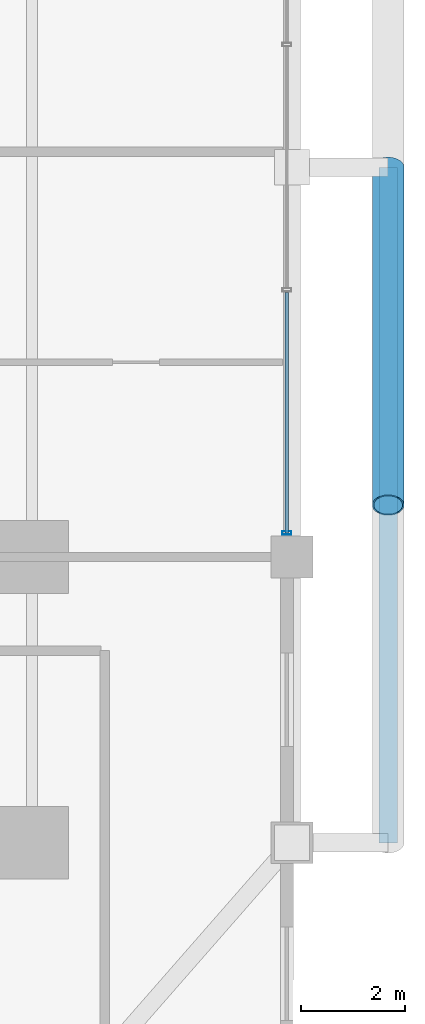
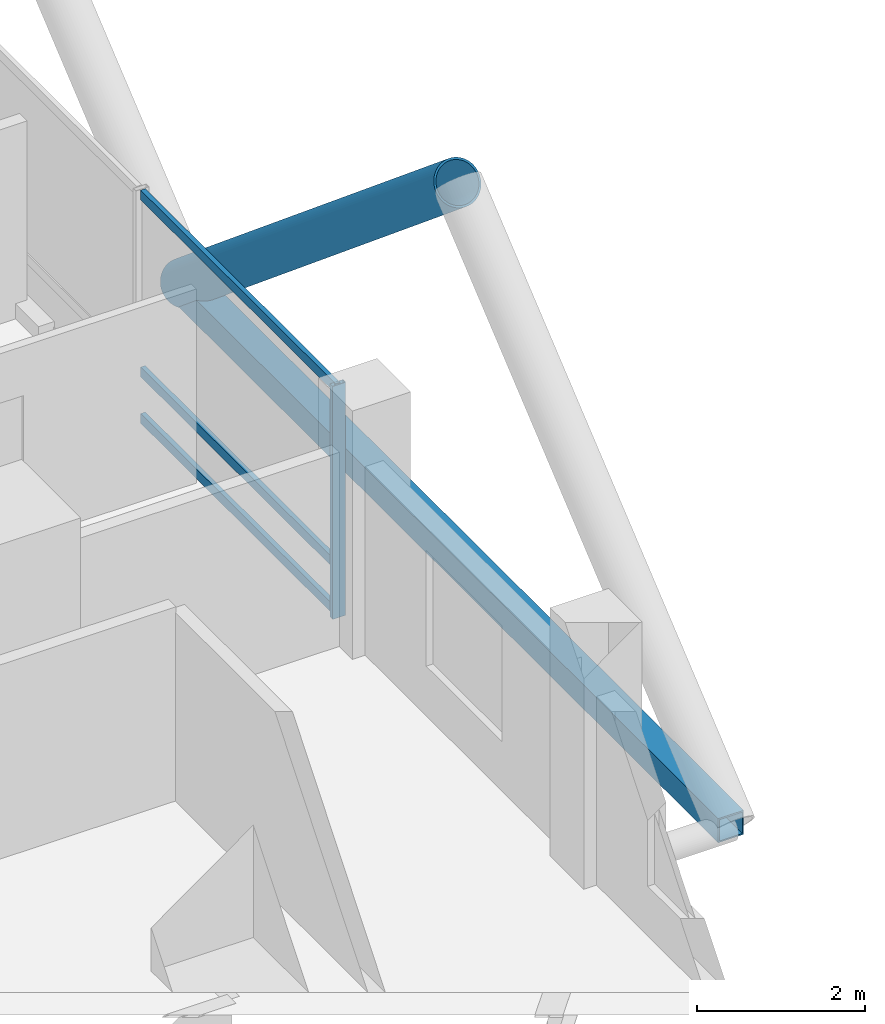
# One storey, part 10 of 27: 6 members, 1 element without a shape of its own.
"""IFC4 building model written with IfcOpenShell, lengths in metres."""

from ifc_helpers import new_model, si_unit, direction, frame, origin, origin_2d, place, context, subcontext, project, spatial, hollow_rectangle, hollow_circle, extrude, material, layer, layer_set, material_profile, profile_set, type_object, element, aggregate, save


model = new_model("IFC4")

# Units and contexts
model_context = context("Model", 3, precision=1e-05, world=origin(), true_north=direction((0.0, 1.0)))
body_context = subcontext(model_context, "Body", "Model", "MODEL_VIEW")
ifc_project = project(units=[si_unit("LENGTHUNIT", "METRE"), si_unit("AREAUNIT", "SQUARE_METRE"), si_unit("VOLUMEUNIT", "CUBIC_METRE"), si_unit("PLANEANGLEUNIT", "RADIAN"), si_unit("MASSUNIT", "GRAM", prefix="KILO")], contexts=[model_context])

# Site, building, storey
site_placement = place(None, origin())
site = spatial("IfcSite", under=ifc_project, at=site_placement, CompositionType="ELEMENT")
building_placement = place(site_placement, origin())
building = spatial("IfcBuilding", under=site, at=building_placement, Name="Barlavira Tower and Art Museum", CompositionType="ELEMENT")
storey_placement = place(building_placement, frame((0.0, 0.0, 72.0)))
storey = spatial("IfcBuildingStorey", under=building, at=storey_placement, Name="L17", CompositionType="ELEMENT", Elevation=72.0)

# Curtain wall, members
ifc_material_1 = material(Name="Low-iron coastal laminated glass", Category="glass")
ifc_layer = layer(ifc_material_1, 0.179931640625, Name="Low-iron coastal laminated glass")
ifc_layer_set = layer_set([ifc_layer], Name="Low-iron coastal laminated glass")
curtain_wall_type = type_object("IfcCurtainWallType", Name="Pale-Metal Unitised Curtain Wall Zone 1", PredefinedType="NOTDEFINED", material=ifc_layer_set)
curtain_wall_placement = place(storey_placement, origin())
curtain_wall = element("IfcCurtainWall", 1, at=curtain_wall_placement, inside=storey, type_object=curtain_wall_type, Name="L17 Curtain Wall CW1-L17-E-B3", PredefinedType="NOTDEFINED")
ifc_material_2 = material(Name="Pale anodised aluminium", Category="aluminium")
ifc_material_profile_1 = material_profile(ifc_material_2, hollow_rectangle(XDim=0.06494140625, YDim=0.179931640625, WallThickness=0.00390625, at=origin_2d()), Name="ALU-MULL 65x180x4")
ifc_profile_set_1 = profile_set([ifc_material_profile_1], Name="Pale anodised aluminium")
member_type_1 = type_object("IfcMemberType", Name="Curtain Wall Pale-Metal Mullion 65x180", PredefinedType="MULLION", material=ifc_profile_set_1)
member_1_placement = place(storey_placement, frame((21.89990234375, -7.034912109375, 0.0), z_axis=(0.0, 0.0, 1.0), x_axis=(0.0, 1.0, 0.0)))
member_1 = element("IfcMember", 2, at=member_1_placement, type_object=member_type_1, Name="CW1-L17-E-B3 Mullion 0", PredefinedType="MULLION", context=body_context, shape_type="SweptSolid", body=[
    extrude(hollow_rectangle(XDim=0.06494140625, YDim=0.179931640625, WallThickness=0.00390625, at=origin_2d()), origin(), (0.0, 0.0, 1.0), 3.3798828125),
])
ifc_material_profile_2 = material_profile(ifc_material_2, hollow_rectangle(XDim=0.06494140625, YDim=0.139892578125, WallThickness=0.00390625, at=origin_2d()), Name="ALU-TRAN 65x140x4")
ifc_profile_set_2 = profile_set([ifc_material_profile_2], Name="Pale anodised aluminium")
member_type_2 = type_object("IfcMemberType", Name="Curtain Wall Pale-Metal Transom 65x140", PredefinedType="USERDEFINED", material=ifc_profile_set_2)
member_2_placement = place(storey_placement, frame((21.89990234375, -7.034912109375, 0.070068359375), z_axis=(0.0, 1.0, 0.0), x_axis=(-1.0, 0.0, 0.0)))
member_2 = element("IfcMember", 3, at=member_2_placement, type_object=member_type_2, Name="CW1-L17-E-B3 Transom 0.1", ObjectType="TRANSOM", PredefinedType="USERDEFINED", context=body_context, shape_type="SweptSolid", body=[
    extrude(hollow_rectangle(XDim=0.06494140625, YDim=0.139892578125, WallThickness=0.00390625, at=origin_2d()), origin(), (0.0, 0.0, 1.0), 4.6298828125),
])
member_3_placement = place(storey_placement, frame((21.89990234375, -7.034912109375, 0.743896484375), z_axis=(0.0, 1.0, 0.0), x_axis=(-1.0, 0.0, 0.0)))
member_3 = element("IfcMember", 4, at=member_3_placement, type_object=member_type_2, Name="CW1-L17-E-B3 Transom 0.2", ObjectType="TRANSOM", PredefinedType="USERDEFINED", context=body_context, shape_type="SweptSolid", body=[
    extrude(hollow_rectangle(XDim=0.06494140625, YDim=0.139892578125, WallThickness=0.00390625, at=origin_2d()), origin(), (0.0, 0.0, 1.0), 4.6298828125),
])
member_4_placement = place(storey_placement, frame((21.89990234375, -7.034912109375, 3.31005859375), z_axis=(0.0, 1.0, 0.0), x_axis=(-1.0, 0.0, 0.0)))
member_4 = element("IfcMember", 5, at=member_4_placement, type_object=member_type_2, Name="CW1-L17-E-B3 Transom 0.3", ObjectType="TRANSOM", PredefinedType="USERDEFINED", context=body_context, shape_type="SweptSolid", body=[
    extrude(hollow_rectangle(XDim=0.06494140625, YDim=0.139892578125, WallThickness=0.00390625, at=origin_2d()), origin(), (0.0, 0.0, 1.0), 4.6298828125),
])
aggregate(curtain_wall, [member_1, member_2, member_3, member_4])

# Members
ifc_material_3 = material(Name="Steel S355", Category="steel")
ifc_material_profile_3 = material_profile(ifc_material_3, hollow_circle(Radius=0.304931640625, WallThickness=0.028076171875, at=origin_2d()), Name="CHS 610.0x28.0")
ifc_profile_set_3 = profile_set([ifc_material_profile_3], Name="Steel S355")
member_type_3 = type_object("IfcMemberType", Name="Pale-Metal Exoskeleton Diagrid Tube CHS 610x28 Steel S355", PredefinedType="BRACE", material=ifc_profile_set_3)
member_5_placement = place(storey_placement, frame((23.85009765625, 0.0, -0.1201171875), z_axis=(0.0, -0.76918185268, 0.639029950399), x_axis=(1.0, 0.0, 0.0)))
element("IfcMember", 6, at=member_5_placement, inside=storey, type_object=member_type_3, Name="L17 Exoskeleton Diagrid Tube E", PredefinedType="BRACE", context=body_context, shape_type="SweptSolid", body=[
    extrude(hollow_circle(Radius=0.304931640625, WallThickness=0.028076171875, at=origin_2d()), origin(), (0.0, 0.0, 1.0), 8.450439453125),
])
ifc_material_profile_4 = material_profile(ifc_material_3, hollow_rectangle(XDim=0.35009765625, YDim=0.35009765625, WallThickness=0.02001953125, at=origin_2d()), Name="SHS 350x350x20.0")
ifc_profile_set_4 = profile_set([ifc_material_profile_4], Name="Steel S355")
member_type_4 = type_object("IfcMemberType", Name="Pale-Metal Exoskeleton Ring Strut SHS 350x350x20 Steel S355", PredefinedType="STRUT", material=ifc_profile_set_4)
member_6_placement = place(storey_placement, frame((23.85009765625, -13.0, -0.1201171875), z_axis=(0.0, 1.0, 0.0), x_axis=(-1.0, 0.0, 0.0)))
element("IfcMember", 7, at=member_6_placement, inside=storey, type_object=member_type_4, Name="L17 Exoskeleton Ring Strut E", PredefinedType="STRUT", context=body_context, shape_type="SweptSolid", body=[
    extrude(hollow_rectangle(XDim=0.35009765625, YDim=0.35009765625, WallThickness=0.02001953125, at=origin_2d()), origin(), (0.0, 0.0, 1.0), 13.0),
])

save(model, "model.ifc")
